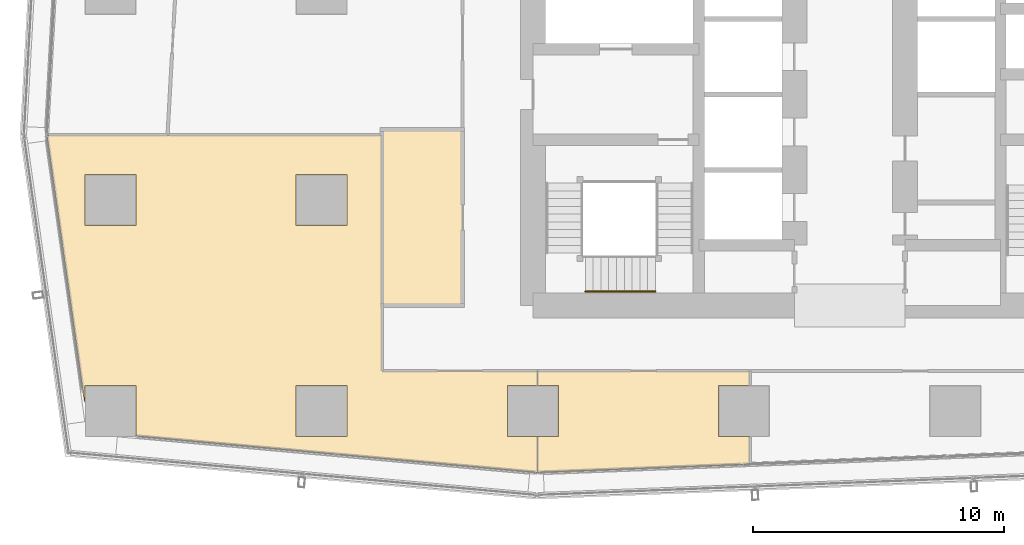
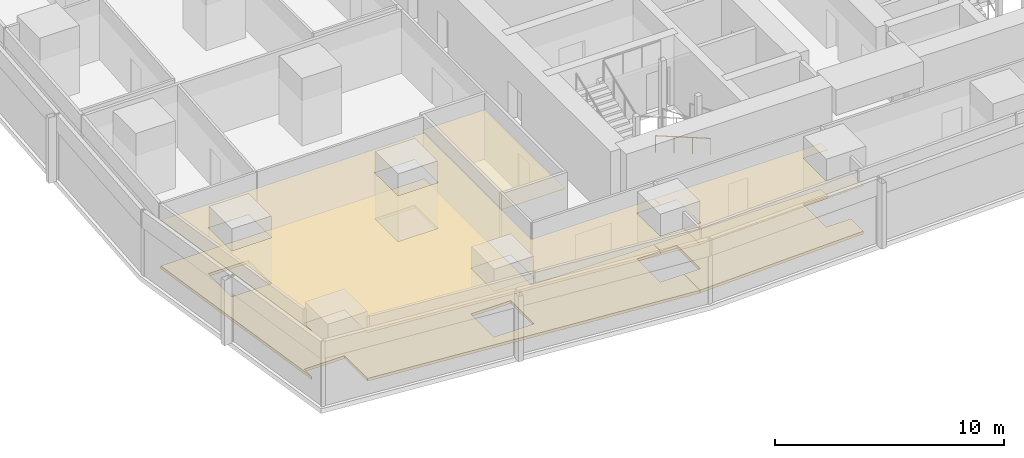
# One storey, part 33 of 39: 5 coverings, 1 railing.
"""IFC4 building model written with IfcOpenShell, lengths in metres."""

from ifc_helpers import new_model, si_unit, direction, frame, origin, origin_2d, place, context, subcontext, project, spatial, polyline, circle, outline, extrude, material, layer, layer_set, type_object, element, save


model = new_model("IFC4")

# Units and contexts
model_context = context("Model", 3, precision=1e-05, world=origin(), true_north=direction((0.0, 1.0)))
body_context = subcontext(model_context, "Body", "Model", "MODEL_VIEW")
ifc_project = project(units=[si_unit("LENGTHUNIT", "METRE"), si_unit("AREAUNIT", "SQUARE_METRE"), si_unit("VOLUMEUNIT", "CUBIC_METRE"), si_unit("PLANEANGLEUNIT", "RADIAN"), si_unit("MASSUNIT", "GRAM", prefix="KILO")], contexts=[model_context])

# Site, building, storey
site_placement = place(None, origin())
site = spatial("IfcSite", under=ifc_project, at=site_placement, CompositionType="ELEMENT")
building_placement = place(site_placement, origin())
building = spatial("IfcBuilding", under=site, at=building_placement, Name="Rekha Terrace Tower", CompositionType="ELEMENT")
storey_placement = place(building_placement, frame((0.0, 0.0, 151.550048828125)))
storey = spatial("IfcBuildingStorey", under=building, at=storey_placement, Name="L38", CompositionType="ELEMENT", Elevation=151.550048828125)

# Coverings
ifc_material_1 = material(Name="Mineral fibre tile in exposed grid", Category="finish")
ifc_layer_1 = layer(ifc_material_1, 0.02001953125)
ifc_layer_set_1 = layer_set([ifc_layer_1], Name="Mineral fibre tile in exposed grid")
covering_type_1 = type_object("IfcCoveringType", Name="CL1 600x1200 office grid ceiling", PredefinedType="CEILING", material=ifc_layer_set_1)
covering_1_placement = place(storey_placement, frame((0.0, 0.0, 2.579833984375)))
element("IfcCovering", 1, at=covering_1_placement, inside=storey, type_object=covering_type_1, Name="Ceiling L38-09", PredefinedType="CEILING", context=body_context, shape_type="SweptSolid", body=[
    extrude(outline(polyline([(25.37890625, 18.39990234375), (19.199951171875, 18.39990234375), (19.199951171875, 27.781005859375), (5.868896484375, 27.781005859375), (7.364990234375, 17.162109375), (7.385009765625, 17.1630859375), (7.385009765625, 17.81494140625), (9.4150390625, 17.81494140625), (9.4150390625, 15.80908203125), (17.384033203125, 15.0849609375), (23.06591796875, 14.569091796875), (25.37890625, 14.35888671875), (25.37890625, 15.784912109375), (24.18505859375, 15.784912109375), (24.18505859375, 17.81494140625), (25.37890625, 17.81494140625), (25.37890625, 18.39990234375)]), holes=[polyline([(17.81494140625, 15.784912109375), (15.784912109375, 15.784912109375), (15.784912109375, 17.81494140625), (17.81494140625, 17.81494140625), (17.81494140625, 15.784912109375)]), polyline([(17.81494140625, 26.215087890625), (17.81494140625, 24.18505859375), (15.784912109375, 24.18505859375), (15.784912109375, 26.215087890625), (17.81494140625, 26.215087890625)]), polyline([(9.4150390625, 24.18505859375), (7.385009765625, 24.18505859375), (7.385009765625, 26.215087890625), (9.4150390625, 26.215087890625), (9.4150390625, 24.18505859375)])]), origin(), (0.0, 0.0, 1.0), 0.02001953125),
])
covering_2_placement = place(storey_placement, frame((0.0, 0.0, 2.579833984375)))
element("IfcCovering", 2, at=covering_2_placement, inside=storey, type_object=covering_type_1, Name="Ceiling L38-10", PredefinedType="CEILING", context=body_context, shape_type="SweptSolid", body=[
    extrude(outline(polyline([(25.3798828125, 15.784912109375), (25.3798828125, 14.363037109375), (33.824951171875, 14.69189453125), (33.824951171875, 15.784912109375), (32.5849609375, 15.784912109375), (32.5849609375, 17.81494140625), (33.824951171875, 17.81494140625), (33.824951171875, 18.39990234375), (25.3798828125, 18.39990234375), (25.3798828125, 17.81494140625), (26.215087890625, 17.81494140625), (26.215087890625, 15.784912109375), (25.3798828125, 15.784912109375)])), origin(), (0.0, 0.0, 1.0), 0.02001953125),
])
ifc_material_2 = material(Name="Fibre cement board", Category="finish")
ifc_layer_2 = layer(ifc_material_2, 0.014892578125)
ifc_layer_set_2 = layer_set([ifc_layer_2], Name="Fibre cement board")
covering_type_2 = type_object("IfcCoveringType", Name="CL2 moisture-resistant board ceiling", PredefinedType="CEILING", material=ifc_layer_set_2)
covering_3_placement = place(storey_placement, frame((0.0, 0.0, 2.5849609375)))
element("IfcCovering", 3, at=covering_3_placement, inside=storey, type_object=covering_type_2, Name="Ceiling L38-WCM", PredefinedType="CEILING", context=body_context, shape_type="SweptSolid", body=[
    extrude(outline(polyline([(22.39990234375, 28.0), (19.199951171875, 28.0), (19.199951171875, 21.0), (22.39990234375, 21.0), (22.39990234375, 28.0)])), origin(), (0.0, 0.0, 1.0), 0.014892578125),
])

# Railing
ifc_material_3 = material(Name="Stainless steel tube", Category="steel")
railing_type = type_object("IfcRailingType", Name="HR1 900 stair handrail", PredefinedType="HANDRAIL", material=ifc_material_3)
railing_placement = place(storey_placement, frame((30.074951171875, 21.56005859375, 1.375)))
element("IfcRailing", 4, at=railing_placement, inside=storey, type_object=railing_type, Name="Handrail ST1 L38 flight 2", PredefinedType="HANDRAIL", context=body_context, shape_type="SweptSolid", body=[
    extrude(circle(Radius=0.02392578125, at=origin_2d()), frame((0.0, 0.0, 0.8759765625), z_axis=(-0.927443287984, 0.0, 0.373963831907), x_axis=(0.0, -1.0, 0.0)), (0.0, 0.0, 1.0), 3.00830078125),
    extrude(circle(Radius=0.02099609375, at=origin_2d()), origin(), (0.0, 0.0, 1.0), 0.851806640625),
    extrude(circle(Radius=0.02099609375, at=origin_2d()), frame((-0.929931640625, 0.0, 0.375)), (0.0, 0.0, 1.0), 0.851806640625),
    extrude(circle(Radius=0.02099609375, at=origin_2d()), frame((-1.860107421875, 0.0, 0.75)), (0.0, 0.0, 1.0), 0.851806640625),
    extrude(circle(Radius=0.02099609375, at=origin_2d()), frame((-2.7900390625, 0.0, 1.125)), (0.0, 0.0, 1.0), 0.851806640625),
])

# Coverings
ifc_material_4 = material(Name="Calcium sulphate panels on steel pedestals", Category="steel")
ifc_layer_3 = layer(ifc_material_4, 0.14990234375)
ifc_layer_set_3 = layer_set([ifc_layer_3], Name="Calcium sulphate panels on steel pedestals")
covering_type_3 = type_object("IfcCoveringType", Name="RF1 150 raised access floor", PredefinedType="FLOORING", material=ifc_layer_set_3)
covering_4_placement = place(storey_placement, origin())
element("IfcCovering", 5, at=covering_4_placement, inside=storey, type_object=covering_type_3, Name="Raised floor L38-09", PredefinedType="FLOORING", context=body_context, shape_type="SweptSolid", body=[
    extrude(outline(polyline([(25.37890625, 18.39990234375), (19.199951171875, 18.39990234375), (19.199951171875, 27.781005859375), (5.868896484375, 27.781005859375), (7.364990234375, 17.162109375), (7.385009765625, 17.1630859375), (7.385009765625, 17.81494140625), (9.4150390625, 17.81494140625), (9.4150390625, 15.80908203125), (17.384033203125, 15.0849609375), (23.06591796875, 14.569091796875), (25.37890625, 14.35888671875), (25.37890625, 15.784912109375), (24.18505859375, 15.784912109375), (24.18505859375, 17.81494140625), (25.37890625, 17.81494140625), (25.37890625, 18.39990234375)]), holes=[polyline([(17.81494140625, 15.784912109375), (15.784912109375, 15.784912109375), (15.784912109375, 17.81494140625), (17.81494140625, 17.81494140625), (17.81494140625, 15.784912109375)]), polyline([(17.81494140625, 26.215087890625), (17.81494140625, 24.18505859375), (15.784912109375, 24.18505859375), (15.784912109375, 26.215087890625), (17.81494140625, 26.215087890625)]), polyline([(9.4150390625, 24.18505859375), (7.385009765625, 24.18505859375), (7.385009765625, 26.215087890625), (9.4150390625, 26.215087890625), (9.4150390625, 24.18505859375)])]), origin(), (0.0, 0.0, 1.0), 0.14990234375),
])
covering_5_placement = place(storey_placement, origin())
element("IfcCovering", 6, at=covering_5_placement, inside=storey, type_object=covering_type_3, Name="Raised floor L38-10", PredefinedType="FLOORING", context=body_context, shape_type="SweptSolid", body=[
    extrude(outline(polyline([(25.3798828125, 15.784912109375), (25.3798828125, 14.363037109375), (33.824951171875, 14.69189453125), (33.824951171875, 15.784912109375), (32.5849609375, 15.784912109375), (32.5849609375, 17.81494140625), (33.824951171875, 17.81494140625), (33.824951171875, 18.39990234375), (25.3798828125, 18.39990234375), (25.3798828125, 17.81494140625), (26.215087890625, 17.81494140625), (26.215087890625, 15.784912109375), (25.3798828125, 15.784912109375)])), origin(), (0.0, 0.0, 1.0), 0.14990234375),
])

save(model, "model.ifc")
